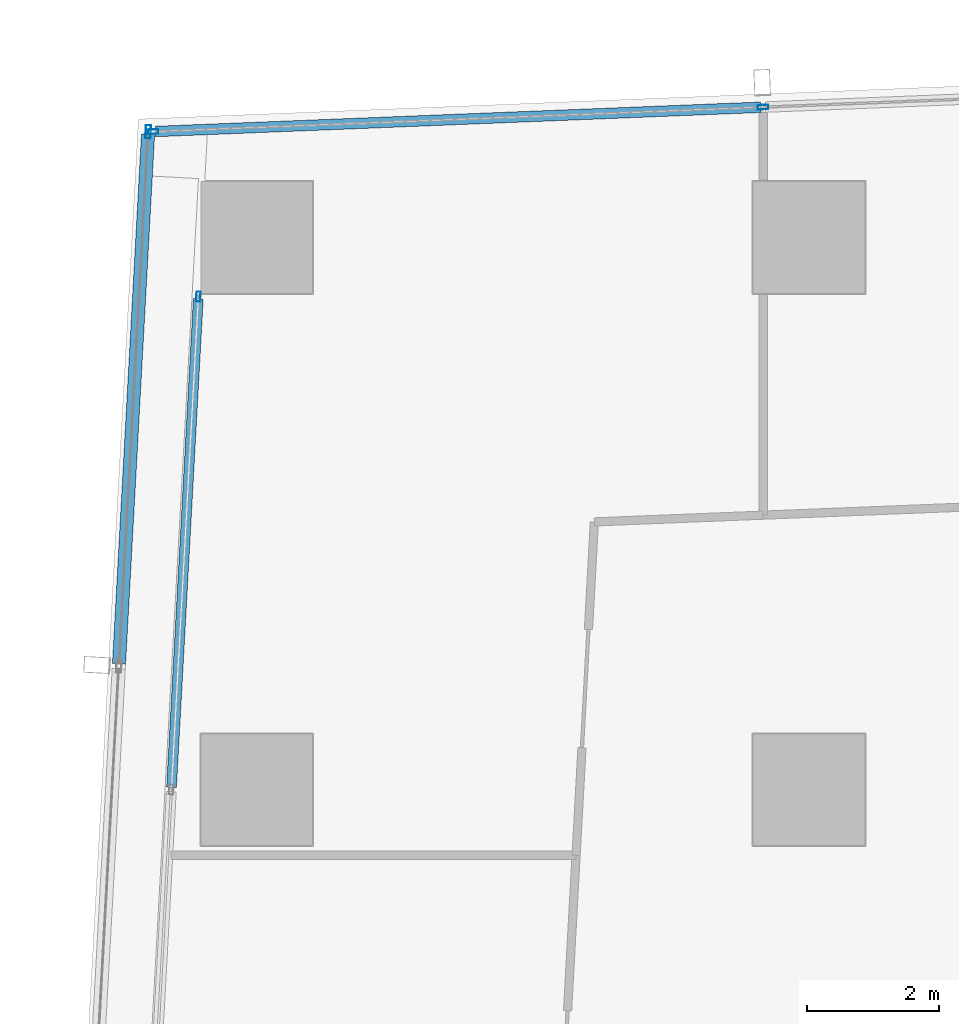
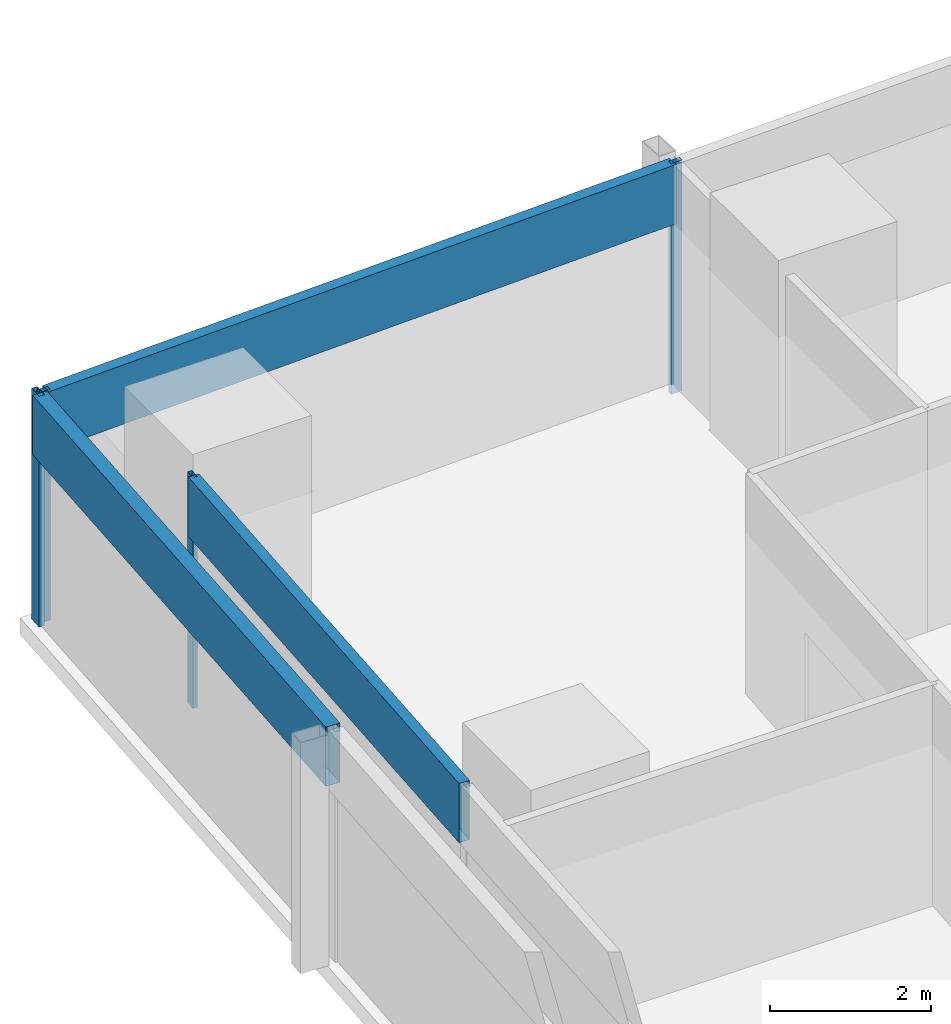
# One storey, part 15 of 40: 7 members, 3 elements without a shape of their own.
"""IFC4 building model written with IfcOpenShell, lengths in metres."""

from ifc_helpers import new_model, si_unit, direction, frame, origin, origin_2d, place, context, subcontext, project, spatial, hollow_rectangle, extrude, material, material_profile, profile_set, type_object, element, aggregate, save


model = new_model("IFC4")

# Units and contexts
model_context = context("Model", 3, precision=1e-05, world=origin(), true_north=direction((0.0, 1.0)))
body_context = subcontext(model_context, "Body", "Model", "MODEL_VIEW")
ifc_project = project(units=[si_unit("LENGTHUNIT", "METRE"), si_unit("AREAUNIT", "SQUARE_METRE"), si_unit("VOLUMEUNIT", "CUBIC_METRE"), si_unit("PLANEANGLEUNIT", "RADIAN"), si_unit("MASSUNIT", "GRAM", prefix="KILO")], contexts=[model_context])

# Site, building, storey
site_placement = place(None, origin())
site = spatial("IfcSite", under=ifc_project, at=site_placement, CompositionType="ELEMENT")
building_placement = place(site_placement, origin())
building = spatial("IfcBuilding", under=site, at=building_placement, Name="Rekha Terrace Tower", CompositionType="ELEMENT")
storey_placement = place(building_placement, frame((0.0, 0.0, 99.050048828125)))
storey = spatial("IfcBuildingStorey", under=building, at=storey_placement, Name="L24", CompositionType="ELEMENT", Elevation=99.050048828125)

# Curtain wall, members
ifc_material_1 = material(Name="Aluminium framing", Category="aluminium")
curtain_wall_type_1 = type_object("IfcCurtainWallType", Name="CW1 double skin inner glazing", PredefinedType="USERDEFINED", material=ifc_material_1)
curtain_wall_1_placement = place(storey_placement, origin())
curtain_wall_1 = element("IfcCurtainWall", 1, at=curtain_wall_1_placement, inside=storey, type_object=curtain_wall_type_1, Name="CW1 double skin inner glazing", ObjectType="DOUBLE SKIN INNER GLAZING", PredefinedType="USERDEFINED")
ifc_material_2 = material(Name="Aluminium mullion section", Category="aluminium")
ifc_material_profile_1 = material_profile(ifc_material_2, hollow_rectangle(XDim=0.06494140625, YDim=0.14990234375, WallThickness=0.00390625, at=origin_2d()), Name="AL RHS 65x150")
ifc_profile_set_1 = profile_set([ifc_material_profile_1], Name="Aluminium mullion section")
member_type_1 = type_object("IfcMemberType", Name="CW1 mullion RHS 65 x 150", PredefinedType="MULLION", material=ifc_profile_set_1)
member_1_placement = place(storey_placement, frame((7.513427734375, 57.8994140625, 0.0), z_axis=(0.0, 0.0, 1.0), x_axis=(0.99850051318, -0.054742352707, 0.0)))
member_1 = element("IfcMember", 2, at=member_1_placement, type_object=member_type_1, Name="CW1 mullion 1", PredefinedType="MULLION", context=body_context, shape_type="SweptSolid", body=[
    extrude(hollow_rectangle(XDim=0.06494140625, YDim=0.14990234375, WallThickness=0.00390625, at=origin_2d()), origin(), (0.0, 0.0, 1.0), 3.5),
])
ifc_material_3 = material(Name="Insulated aluminium spandrel box", Category="aluminium")
ifc_material_profile_2 = material_profile(ifc_material_3, hollow_rectangle(XDim=0.14990234375, YDim=0.89990234375, WallThickness=0.0029296875, at=origin_2d()), Name="AL SPANDREL BOX 150x900")
ifc_profile_set_2 = profile_set([ifc_material_profile_2], Name="Insulated aluminium spandrel box")
member_type_2 = type_object("IfcMemberType", Name="CW1 spandrel transom 150 x 900", PredefinedType="USERDEFINED", material=ifc_profile_set_2)
member_2_placement = place(storey_placement, frame((7.51171875, 57.866943359375, 3.050048828125), z_axis=(-0.054743356699, -0.998500458136, 0.0), x_axis=(0.998500458136, -0.054743356699, 0.0)))
member_2 = element("IfcMember", 3, at=member_2_placement, type_object=member_type_2, Name="CW1 spandrel transom 1", ObjectType="TRANSOM", PredefinedType="USERDEFINED", context=body_context, shape_type="SweptSolid", body=[
    extrude(hollow_rectangle(XDim=0.14990234375, YDim=0.89990234375, WallThickness=0.0029296875, at=origin_2d()), origin(), (0.0, 0.0, 1.0), 7.443359375),
])
aggregate(curtain_wall_1, [member_1, member_2])

curtain_wall_type_2 = type_object("IfcCurtainWallType", Name="CW2 double skin outer glazing", PredefinedType="USERDEFINED", material=ifc_material_1)
curtain_wall_2_placement = place(storey_placement, origin())
curtain_wall_2 = element("IfcCurtainWall", 4, at=curtain_wall_2_placement, inside=storey, type_object=curtain_wall_type_2, Name="CW2 double skin outer glazing", ObjectType="DOUBLE SKIN OUTER GLAZING", PredefinedType="USERDEFINED")
ifc_material_profile_3 = material_profile(ifc_material_2, hollow_rectangle(XDim=0.080078125, YDim=0.199951171875, WallThickness=0.00390625, at=origin_2d()), Name="AL RHS 80x200")
ifc_profile_set_3 = profile_set([ifc_material_profile_3], Name="Aluminium mullion section")
member_type_3 = type_object("IfcMemberType", Name="CW2 mullion RHS 80 x 200", PredefinedType="MULLION", material=ifc_profile_set_3)
member_3_placement = place(storey_placement, frame((6.74951171875, 60.406005859375, 0.0), z_axis=(0.0, 0.0, 1.0), x_axis=(0.99850051318, -0.054742352707, 0.0)))
member_3 = element("IfcMember", 5, at=member_3_placement, type_object=member_type_3, Name="CW2 mullion 1", PredefinedType="MULLION", context=body_context, shape_type="SweptSolid", body=[
    extrude(hollow_rectangle(XDim=0.080078125, YDim=0.199951171875, WallThickness=0.00390625, at=origin_2d()), origin(), (0.0, 0.0, 1.0), 3.5),
])
ifc_material_profile_4 = material_profile(ifc_material_3, hollow_rectangle(XDim=0.199951171875, YDim=0.89990234375, WallThickness=0.0029296875, at=origin_2d()), Name="AL SPANDREL BOX 200x900")
ifc_profile_set_4 = profile_set([ifc_material_profile_4], Name="Insulated aluminium spandrel box")
member_type_4 = type_object("IfcMemberType", Name="CW2 spandrel transom 200 x 900", PredefinedType="USERDEFINED", material=ifc_profile_set_4)
member_4_placement = place(storey_placement, frame((6.747314453125, 60.365966796875, 3.050048828125), z_axis=(-0.054735200093, -0.998500905293, 0.0), x_axis=(0.998500905293, -0.054735200093, 0.0)))
member_4 = element("IfcMember", 6, at=member_4_placement, type_object=member_type_4, Name="CW2 spandrel transom 1", ObjectType="TRANSOM", PredefinedType="USERDEFINED", context=body_context, shape_type="SweptSolid", body=[
    extrude(hollow_rectangle(XDim=0.199951171875, YDim=0.89990234375, WallThickness=0.0029296875, at=origin_2d()), origin(), (0.0, 0.0, 1.0), 8.059814453125),
])
aggregate(curtain_wall_2, [member_3, member_4])

curtain_wall_type_3 = type_object("IfcCurtainWallType", Name="CW3 north unitised glazing", PredefinedType="USERDEFINED", material=ifc_material_1)
curtain_wall_3_placement = place(storey_placement, origin())
curtain_wall_3 = element("IfcCurtainWall", 7, at=curtain_wall_3_placement, inside=storey, type_object=curtain_wall_type_3, Name="CW3 unitised curtain wall", ObjectType="UNITISED CURTAIN WALL", PredefinedType="USERDEFINED")
ifc_material_profile_5 = material_profile(ifc_material_2, hollow_rectangle(XDim=0.070068359375, YDim=0.159912109375, WallThickness=0.00390625, at=origin_2d()), Name="AL RHS 70x160")
ifc_profile_set_5 = profile_set([ifc_material_profile_5], Name="Aluminium mullion section")
member_type_5 = type_object("IfcMemberType", Name="CW3 mullion RHS 70 x 160", PredefinedType="MULLION", material=ifc_profile_set_5)
member_5_placement = place(storey_placement, frame((16.101806640625, 60.780517578125, 0.0), z_axis=(0.0, 0.0, 1.0), x_axis=(0.040031987119, -0.999198398721, 0.0)))
member_5 = element("IfcMember", 8, at=member_5_placement, type_object=member_type_5, Name="CW3 mullion 4", PredefinedType="MULLION", context=body_context, shape_type="SweptSolid", body=[
    extrude(hollow_rectangle(XDim=0.070068359375, YDim=0.159912109375, WallThickness=0.00390625, at=origin_2d()), origin(), (0.0, 0.0, 1.0), 3.5),
])
member_6_placement = place(storey_placement, frame((6.82470703125, 60.408935546875, 0.0), z_axis=(0.0, 0.0, 1.0), x_axis=(0.040031987119, -0.999198398721, 0.0)))
member_6 = element("IfcMember", 9, at=member_6_placement, type_object=member_type_5, Name="CW3 mullion 5", PredefinedType="MULLION", context=body_context, shape_type="SweptSolid", body=[
    extrude(hollow_rectangle(XDim=0.070068359375, YDim=0.159912109375, WallThickness=0.00390625, at=origin_2d()), origin(), (0.0, 0.0, 1.0), 3.5),
])
ifc_material_profile_6 = material_profile(ifc_material_3, hollow_rectangle(XDim=0.159912109375, YDim=0.89990234375, WallThickness=0.0029296875, at=origin_2d()), Name="AL SPANDREL BOX 160x900")
ifc_profile_set_6 = profile_set([ifc_material_profile_6], Name="Insulated aluminium spandrel box")
member_type_6 = type_object("IfcMemberType", Name="CW3 spandrel transom 160 x 900", PredefinedType="USERDEFINED", material=ifc_profile_set_6)
member_7_placement = place(storey_placement, frame((16.06689453125, 60.779052734375, 3.050048828125), z_axis=(-0.999198332483, -0.040033640399, 0.0), x_axis=(0.040033640399, -0.999198332483, 0.0)))
member_7 = element("IfcMember", 10, at=member_7_placement, type_object=member_type_6, Name="CW3 spandrel transom 4", ObjectType="TRANSOM", PredefinedType="USERDEFINED", context=body_context, shape_type="SweptSolid", body=[
    extrude(hollow_rectangle(XDim=0.159912109375, YDim=0.89990234375, WallThickness=0.0029296875, at=origin_2d()), origin(), (0.0, 0.0, 1.0), 9.214599609375),
])
aggregate(curtain_wall_3, [member_5, member_6, member_7])

save(model, "model.ifc")
